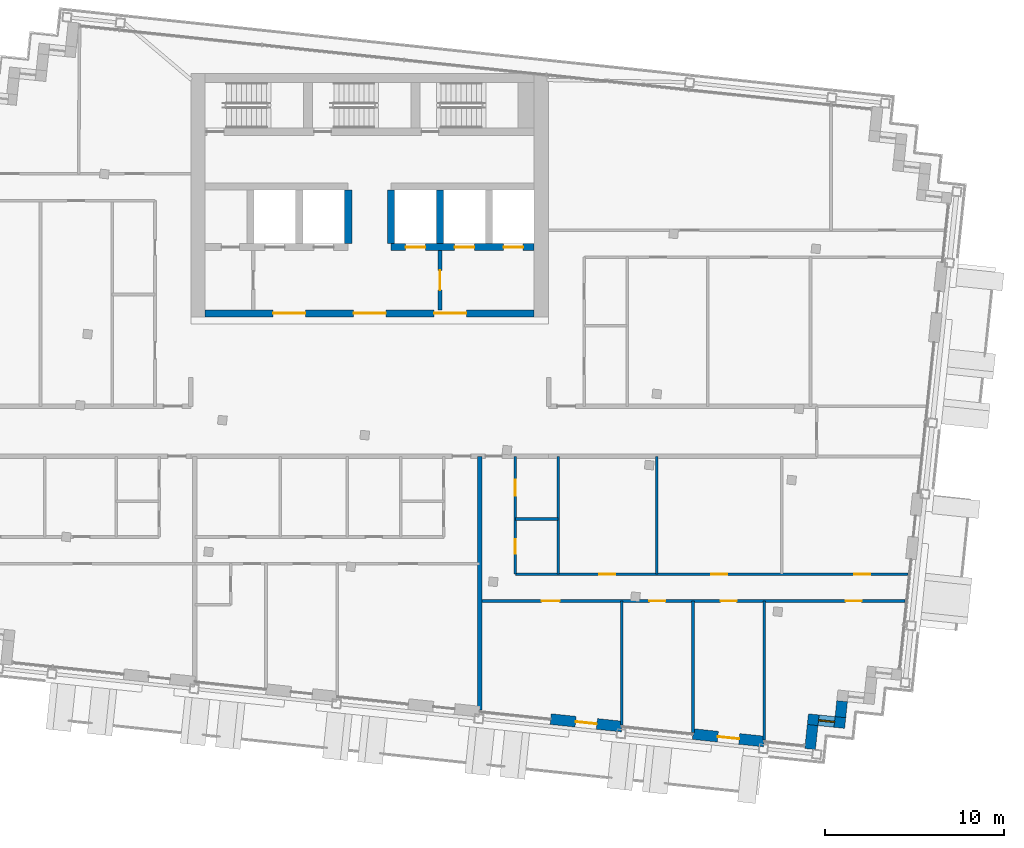
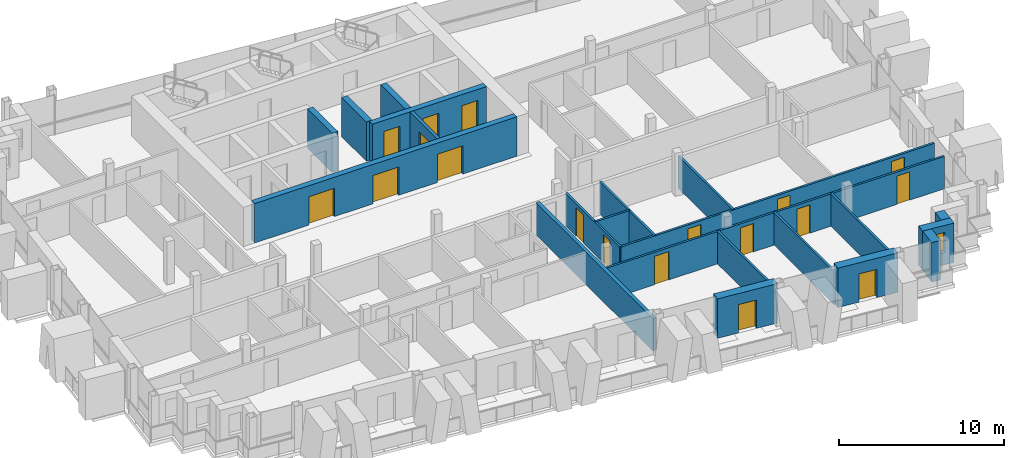
# One storey, part 10 of 16: 21 walls, 18 doors, 1 window, 19 openings.
"""IFC4 building model written with IfcOpenShell, lengths in metres."""

from ifc_helpers import new_model, si_unit, direction, frame, frame_2d, origin, place, context, subcontext, project, spatial, rectangle, extrude, material, layer, layer_set, type_object, element, fill, save


model = new_model("IFC4")

# Units and contexts
model_context = context("Model", 3, precision=1e-05, world=origin(), true_north=direction((0.0, 1.0)))
body_context = subcontext(model_context, "Body", "Model", "MODEL_VIEW")
ifc_project = project(units=[si_unit("LENGTHUNIT", "METRE"), si_unit("AREAUNIT", "SQUARE_METRE"), si_unit("VOLUMEUNIT", "CUBIC_METRE"), si_unit("PLANEANGLEUNIT", "RADIAN"), si_unit("MASSUNIT", "GRAM", prefix="KILO")], contexts=[model_context])

# Site, building, storey
site_placement = place(None, origin())
site = spatial("IfcSite", under=ifc_project, at=site_placement, CompositionType="ELEMENT")
building_placement = place(site_placement, origin())
building = spatial("IfcBuilding", under=site, at=building_placement, Name="Vidyagriha Tower", CompositionType="ELEMENT")
storey_placement = place(building_placement, frame((0.0, 0.0, 275.5)))
storey = spatial("IfcBuildingStorey", under=building, at=storey_placement, Name="L72", CompositionType="ELEMENT", Elevation=275.5)

# Wall, opening, door
ifc_material_1 = material(Name="Precast concrete C40/50 with brick facing", Category="concrete")
ifc_layer_1 = layer(ifc_material_1, 0.60009765625)
ifc_layer_set_1 = layer_set([ifc_layer_1], Name="Precast concrete C40/50 with brick facing")
wall_type_1 = type_object("IfcWallType", Name="Brick-faced precast wall 600", PredefinedType="STANDARD", material=ifc_layer_set_1)
wall_1_placement = place(storey_placement, frame((10.1201171875, -16.085205078125, 0.0), z_axis=(0.0, 0.0, 1.0), x_axis=(0.994519156568, -0.104554517933, 0.0)))
wall_1 = element("IfcWall", 1, at=wall_1_placement, inside=storey, type_object=wall_type_1, Name="Brick door bay wall L72 R21.9", PredefinedType="STANDARD", context=body_context, shape_type="SweptSolid", body=[
    extrude(rectangle(XDim=4.0, YDim=0.60009765625, at=frame_2d((2.0, 0.0))), origin(), (0.0, 0.0, 1.0), 2.919921875),
])
opening_1_placement = place(wall_1_placement, frame((1.39990234375, 0.0, 0.0)))
opening_1 = element("IfcOpeningElement", 2, at=opening_1_placement, cuts=wall_1, Name="Opening D72-57", PredefinedType="OPENING", context=body_context, shape_type="SweptSolid", body=[
    extrude(rectangle(XDim=1.199951171875, YDim=2.10009765625, at=frame_2d((0.60009765625, 1.050048828125))), frame((0.0, 0.31005859375, 0.0), z_axis=(0.0, -1.0, 0.0), x_axis=(1.0, 0.0, 0.0)), (0.0, 0.0, 1.0), 0.6201171875),
])
ifc_material_2 = material(Name="Aluminium framed glazed sliding door", Category="aluminium")
door_type_1 = type_object("IfcDoorType", Name="Balcony sliding door 1200x2100", OperationType="NOTDEFINED", PredefinedType="DOOR", material=ifc_material_2)
door_1_placement = place(opening_1_placement, origin())
door_1 = element("IfcDoor", 3, at=door_1_placement, inside=storey, type_object=door_type_1, Name="Door D72-57", OperationType="SLIDING_TO_LEFT", OverallHeight=2.10009765625, OverallWidth=1.199951171875, PredefinedType="DOOR", context=body_context, shape_type="SweptSolid", body=[
    extrude(rectangle(XDim=1.199951171875, YDim=2.10009765625, at=frame_2d((0.60009765625, 1.050048828125))), frame((0.0, 0.02490234375, 0.0), z_axis=(0.0, -1.0, 0.0), x_axis=(1.0, 0.0, 0.0)), (0.0, 0.0, 1.0), 0.050048828125),
])
fill(opening_1, door_1)

wall_2_placement = place(storey_placement, frame((18.076171875, -16.92138671875, 0.0), z_axis=(0.0, 0.0, 1.0), x_axis=(0.994519156568, -0.104554517933, 0.0)))
wall_2 = element("IfcWall", 4, at=wall_2_placement, inside=storey, type_object=wall_type_1, Name="Brick door bay wall L72 R21.11", PredefinedType="STANDARD", context=body_context, shape_type="SweptSolid", body=[
    extrude(rectangle(XDim=4.0, YDim=0.60009765625, at=frame_2d((2.0, 0.0))), origin(), (0.0, 0.0, 1.0), 2.919921875),
])
opening_2_placement = place(wall_2_placement, frame((1.39990234375, 0.0, 0.0)))
opening_2 = element("IfcOpeningElement", 5, at=opening_2_placement, cuts=wall_2, Name="Opening D72-58", PredefinedType="OPENING", context=body_context, shape_type="SweptSolid", body=[
    extrude(rectangle(XDim=1.199951171875, YDim=2.10009765625, at=frame_2d((0.60009765625, 1.050048828125))), frame((0.0, 0.31005859375, 0.0), z_axis=(0.0, -1.0, 0.0), x_axis=(1.0, 0.0, 0.0)), (0.0, 0.0, 1.0), 0.6201171875),
])
door_2_placement = place(opening_2_placement, origin())
door_2 = element("IfcDoor", 6, at=door_2_placement, inside=storey, type_object=door_type_1, Name="Door D72-58", OperationType="SLIDING_TO_LEFT", OverallHeight=2.10009765625, OverallWidth=1.199951171875, PredefinedType="DOOR", context=body_context, shape_type="SweptSolid", body=[
    extrude(rectangle(XDim=1.199951171875, YDim=2.10009765625, at=frame_2d((0.60009765625, 1.050048828125))), frame((0.0, 0.02490234375, 0.0), z_axis=(0.0, -1.0, 0.0), x_axis=(1.0, 0.0, 0.0)), (0.0, 0.0, 1.0), 0.050048828125),
])
fill(opening_2, door_2)

# Wall
wall_3_placement = place(storey_placement, frame((24.62451171875, -17.760498046875, 0.0), z_axis=(0.0, 0.0, 1.0), x_axis=(0.104355269718, 0.994540083497, 0.0)))
element("IfcWall", 7, at=wall_3_placement, inside=storey, type_object=wall_type_1, Name="Stepped corner wall L72 R22", PredefinedType="STANDARD", context=body_context, shape_type="SweptSolid", body=[
    extrude(rectangle(XDim=1.349853515625, YDim=0.60009765625, at=frame_2d((0.6748046875, 0.0))), origin(), (0.0, 0.0, 1.0), 2.919921875),
])

# Wall, opening, window
wall_4_placement = place(storey_placement, frame((24.49853515625, -16.088134765625, 0.0), z_axis=(0.0, 0.0, 1.0), x_axis=(0.994522640205, -0.104521376379, 0.0)))
wall_4 = element("IfcWall", 8, at=wall_4_placement, inside=storey, type_object=wall_type_1, Name="Stepped corner wall L72 R23", PredefinedType="STANDARD", context=body_context, shape_type="SweptSolid", body=[
    extrude(rectangle(XDim=2.099853515625, YDim=0.60009765625, at=frame_2d((1.0498046875, 0.0))), origin(), (0.0, 0.0, 1.0), 2.919921875),
])
opening_3_placement = place(wall_4_placement, frame((0.60009765625, 0.0, 0.89990234375)))
opening_3 = element("IfcOpeningElement", 9, at=opening_3_placement, cuts=wall_4, Name="Opening WN1", PredefinedType="OPENING", context=body_context, shape_type="SweptSolid", body=[
    extrude(rectangle(XDim=0.89990234375, YDim=1.5, at=frame_2d((0.449951171875, 0.75))), frame((0.0, 0.31005859375, 0.0), z_axis=(0.0, -1.0, 0.0), x_axis=(1.0, 0.0, 0.0)), (0.0, 0.0, 1.0), 0.6201171875),
])
ifc_material_3 = material(Name="Aluminium and glass window", Category="aluminium")
window_type = type_object("IfcWindowType", Name="Reveal window 900x1500", PartitioningType="NOTDEFINED", PredefinedType="WINDOW", material=ifc_material_3)
window_placement = place(opening_3_placement, origin())
window = element("IfcWindow", 10, at=window_placement, inside=storey, type_object=window_type, Name="Reveal window L72 R23", OverallHeight=1.5, OverallWidth=0.89990234375, PartitioningType="SINGLE_PANEL", PredefinedType="WINDOW", context=body_context, shape_type="SweptSolid", body=[
    extrude(rectangle(XDim=0.89990234375, YDim=1.5, at=frame_2d((0.449951171875, 0.75))), frame((0.0, 0.030029296875, 0.0), z_axis=(0.0, -1.0, 0.0), x_axis=(1.0, 0.0, 0.0)), (0.0, 0.0, 1.0), 0.06005859375),
])
fill(opening_3, window)

# Wall
wall_5_placement = place(storey_placement, frame((26.320068359375, -15.97802734375, 0.0), z_axis=(0.0, 0.0, 1.0), x_axis=(0.104444712852, 0.994530694326, 0.0)))
element("IfcWall", 11, at=wall_5_placement, inside=storey, type_object=wall_type_1, Name="Stepped corner wall L72 R24", PredefinedType="STANDARD", context=body_context, shape_type="SweptSolid", body=[
    extrude(rectangle(XDim=0.89990234375, YDim=0.60009765625, at=frame_2d((0.449951171875, 0.0))), origin(), (0.0, 0.0, 1.0), 2.919921875),
])

# Wall, openings, doors
ifc_material_4 = material(Name="Concrete C60/75", Category="concrete")
ifc_layer_2 = layer(ifc_material_4, 0.39990234375)
ifc_layer_set_2 = layer_set([ifc_layer_2], Name="Concrete C60/75")
wall_type_2 = type_object("IfcWallType", Name="Core shear wall 400 mm", PredefinedType="SHEAR", material=ifc_layer_set_2)
wall_6_placement = place(storey_placement, frame((-9.199951171875, 6.60009765625, 0.0)))
wall_6 = element("IfcWall", 12, at=wall_6_placement, inside=storey, type_object=wall_type_2, Name="Core south wall", PredefinedType="SHEAR", context=body_context, shape_type="SweptSolid", body=[
    extrude(rectangle(XDim=18.39990234375, YDim=0.39990234375, at=frame_2d((9.199951171875, 0.0))), origin(), (0.0, 0.0, 1.0), 2.919921875),
])
opening_4_placement = place(wall_6_placement, frame((8.300048828125, 0.0, 0.0)))
opening_4 = element("IfcOpeningElement", 13, at=opening_4_placement, cuts=wall_6, Name="Opening D72-01", PredefinedType="OPENING", context=body_context, shape_type="SweptSolid", body=[
    extrude(rectangle(XDim=1.800048828125, YDim=2.10009765625, at=frame_2d((0.89990234375, 1.050048828125))), frame((0.0, 0.2099609375, 0.0), z_axis=(0.0, -1.0, 0.0), x_axis=(1.0, 0.0, 0.0)), (0.0, 0.0, 1.0), 0.419921875),
])
opening_5_placement = place(wall_6_placement, frame((3.800048828125, 0.0, 0.0)))
opening_5 = element("IfcOpeningElement", 14, at=opening_5_placement, cuts=wall_6, Name="Opening D72-02", PredefinedType="OPENING", context=body_context, shape_type="SweptSolid", body=[
    extrude(rectangle(XDim=1.800048828125, YDim=2.10009765625, at=frame_2d((0.89990234375, 1.050048828125))), frame((0.0, 0.2099609375, 0.0), z_axis=(0.0, -1.0, 0.0), x_axis=(1.0, 0.0, 0.0)), (0.0, 0.0, 1.0), 0.419921875),
])
opening_6_placement = place(wall_6_placement, frame((12.800048828125, 0.0, 0.0)))
opening_6 = element("IfcOpeningElement", 15, at=opening_6_placement, cuts=wall_6, Name="Opening D72-03", PredefinedType="OPENING", context=body_context, shape_type="SweptSolid", body=[
    extrude(rectangle(XDim=1.800048828125, YDim=2.10009765625, at=frame_2d((0.89990234375, 1.050048828125))), frame((0.0, 0.2099609375, 0.0), z_axis=(0.0, -1.0, 0.0), x_axis=(1.0, 0.0, 0.0)), (0.0, 0.0, 1.0), 0.419921875),
])
ifc_material_5 = material(Name="Hollow metal door leaf")
door_type_2 = type_object("IfcDoorType", Name="Core lobby double door 1800 x 2100 mm EI 60", OperationType="NOTDEFINED", PredefinedType="DOOR", material=ifc_material_5)
door_3_placement = place(opening_4_placement, frame((1.800048828125, 0.0, 0.0), z_axis=(0.0, 0.0, 1.0), x_axis=(-1.0, 0.0, 0.0)))
door_3 = element("IfcDoor", 16, at=door_3_placement, inside=storey, type_object=door_type_2, Name="Core entrance door L72", OperationType="DOUBLE_DOOR_SINGLE_SWING", OverallHeight=2.10009765625, OverallWidth=1.800048828125, PredefinedType="DOOR", context=body_context, shape_type="SweptSolid", body=[
    extrude(rectangle(XDim=1.800048828125, YDim=2.10009765625, at=frame_2d((0.89990234375, 1.050048828125))), frame((0.0, 0.02490234375, 0.0), z_axis=(0.0, -1.0, 0.0), x_axis=(1.0, 0.0, 0.0)), (0.0, 0.0, 1.0), 0.050048828125),
])
fill(opening_4, door_3)
door_4_placement = place(opening_5_placement, frame((1.800048828125, 0.0, 0.0), z_axis=(0.0, 0.0, 1.0), x_axis=(-1.0, 0.0, 0.0)))
door_4 = element("IfcDoor", 17, at=door_4_placement, inside=storey, type_object=door_type_2, Name="Core entrance door west L72", OperationType="DOUBLE_DOOR_SINGLE_SWING", OverallHeight=2.10009765625, OverallWidth=1.800048828125, PredefinedType="DOOR", context=body_context, shape_type="SweptSolid", body=[
    extrude(rectangle(XDim=1.800048828125, YDim=2.10009765625, at=frame_2d((0.89990234375, 1.050048828125))), frame((0.0, 0.02490234375, 0.0), z_axis=(0.0, -1.0, 0.0), x_axis=(1.0, 0.0, 0.0)), (0.0, 0.0, 1.0), 0.050048828125),
])
fill(opening_5, door_4)
door_5_placement = place(opening_6_placement, frame((1.800048828125, 0.0, 0.0), z_axis=(0.0, 0.0, 1.0), x_axis=(-1.0, 0.0, 0.0)))
door_5 = element("IfcDoor", 18, at=door_5_placement, inside=storey, type_object=door_type_2, Name="Core entrance door east L72", OperationType="DOUBLE_DOOR_SINGLE_SWING", OverallHeight=2.10009765625, OverallWidth=1.800048828125, PredefinedType="DOOR", context=body_context, shape_type="SweptSolid", body=[
    extrude(rectangle(XDim=1.800048828125, YDim=2.10009765625, at=frame_2d((0.89990234375, 1.050048828125))), frame((0.0, 0.02490234375, 0.0), z_axis=(0.0, -1.0, 0.0), x_axis=(1.0, 0.0, 0.0)), (0.0, 0.0, 1.0), 0.050048828125),
])
fill(opening_6, door_5)

wall_7_placement = place(storey_placement, frame((1.199951171875, 10.300048828125, 0.0)))
wall_7 = element("IfcWall", 19, at=wall_7_placement, inside=storey, type_object=wall_type_2, Name="Core row N front wall", PredefinedType="SHEAR", context=body_context, shape_type="SweptSolid", body=[
    extrude(rectangle(XDim=8.0, YDim=0.39990234375, at=frame_2d((4.0, 0.0))), origin(), (0.0, 0.0, 1.0), 2.919921875),
])
opening_7_placement = place(wall_7_placement, frame((0.816650390625, 0.0, 0.0)))
opening_7 = element("IfcOpeningElement", 20, at=opening_7_placement, cuts=wall_7, Name="Opening LD72-03", PredefinedType="OPENING", context=body_context, shape_type="SweptSolid", body=[
    extrude(rectangle(XDim=1.10009765625, YDim=2.10009765625, at=frame_2d((0.550048828125, 1.050048828125))), frame((0.0, 0.2099609375, 0.0), z_axis=(0.0, -1.0, 0.0), x_axis=(1.0, 0.0, 0.0)), (0.0, 0.0, 1.0), 0.419921875),
])
opening_8_placement = place(wall_7_placement, frame((3.550048828125, 0.0, 0.0)))
opening_8 = element("IfcOpeningElement", 21, at=opening_8_placement, cuts=wall_7, Name="Opening LD72-04", PredefinedType="OPENING", context=body_context, shape_type="SweptSolid", body=[
    extrude(rectangle(XDim=1.10009765625, YDim=2.10009765625, at=frame_2d((0.550048828125, 1.050048828125))), frame((0.0, 0.2099609375, 0.0), z_axis=(0.0, -1.0, 0.0), x_axis=(1.0, 0.0, 0.0)), (0.0, 0.0, 1.0), 0.419921875),
])
opening_9_placement = place(wall_7_placement, frame((6.283203125, 0.0, 0.0)))
opening_9 = element("IfcOpeningElement", 22, at=opening_9_placement, cuts=wall_7, Name="Opening LD72-05", PredefinedType="OPENING", context=body_context, shape_type="SweptSolid", body=[
    extrude(rectangle(XDim=1.10009765625, YDim=2.10009765625, at=frame_2d((0.550048828125, 1.050048828125))), frame((0.0, 0.2099609375, 0.0), z_axis=(0.0, -1.0, 0.0), x_axis=(1.0, 0.0, 0.0)), (0.0, 0.0, 1.0), 0.419921875),
])
ifc_material_6 = material(Name="Stainless steel sliding door panel", Category="steel")
door_type_3 = type_object("IfcDoorType", Name="Lift landing door 1100 x 2100 mm EI 90", OperationType="NOTDEFINED", PredefinedType="DOOR", material=ifc_material_6)
door_6_placement = place(opening_7_placement, origin())
door_6 = element("IfcDoor", 23, at=door_6_placement, inside=storey, type_object=door_type_3, Name="Landing door HR3 L72", OperationType="SLIDING_TO_LEFT", OverallHeight=2.10009765625, OverallWidth=1.10009765625, PredefinedType="DOOR", context=body_context, shape_type="SweptSolid", body=[
    extrude(rectangle(XDim=1.10009765625, YDim=2.10009765625, at=frame_2d((0.550048828125, 1.050048828125))), frame((0.0, 0.02490234375, 0.0), z_axis=(0.0, -1.0, 0.0), x_axis=(1.0, 0.0, 0.0)), (0.0, 0.0, 1.0), 0.050048828125),
])
fill(opening_7, door_6)
door_7_placement = place(opening_8_placement, origin())
door_7 = element("IfcDoor", 24, at=door_7_placement, inside=storey, type_object=door_type_3, Name="Landing door FF1 L72", OperationType="SLIDING_TO_LEFT", OverallHeight=2.10009765625, OverallWidth=1.10009765625, PredefinedType="DOOR", context=body_context, shape_type="SweptSolid", body=[
    extrude(rectangle(XDim=1.10009765625, YDim=2.10009765625, at=frame_2d((0.550048828125, 1.050048828125))), frame((0.0, 0.02490234375, 0.0), z_axis=(0.0, -1.0, 0.0), x_axis=(1.0, 0.0, 0.0)), (0.0, 0.0, 1.0), 0.050048828125),
])
fill(opening_8, door_7)
door_8_placement = place(opening_9_placement, origin())
door_8 = element("IfcDoor", 25, at=door_8_placement, inside=storey, type_object=door_type_3, Name="Landing door FF2 L72", OperationType="SLIDING_TO_LEFT", OverallHeight=2.10009765625, OverallWidth=1.10009765625, PredefinedType="DOOR", context=body_context, shape_type="SweptSolid", body=[
    extrude(rectangle(XDim=1.10009765625, YDim=2.10009765625, at=frame_2d((0.550048828125, 1.050048828125))), frame((0.0, 0.02490234375, 0.0), z_axis=(0.0, -1.0, 0.0), x_axis=(1.0, 0.0, 0.0)), (0.0, 0.0, 1.0), 0.050048828125),
])
fill(opening_9, door_8)

# Walls
for number, where, z_axis, x_axis, name in (
    (26, (-1.199951171875, 10.5, 0.0), (0.0, 0.0, 1.0), (0.0, 1.0, 0.0), "Core bay wall N3"),
    (27, (1.199951171875, 10.5, 0.0), (0.0, 0.0, 1.0), (0.0, 1.0, 0.0), "Core bay wall N4"),
    (28, (3.933349609375, 10.5, 0.0), (0.0, 0.0, 1.0), (0.0, 1.0, 0.0), "Core bay wall N5"),
):
    element("IfcWall", number, at=place(storey_placement, frame(where, z_axis=z_axis, x_axis=x_axis)), inside=storey, type_object=wall_type_2, Name=name, PredefinedType="SHEAR", context=body_context, shape_type="SweptSolid", body=[
        extrude(rectangle(XDim=3.0, YDim=0.39990234375, at=frame_2d((1.5, 0.0))), origin(), (0.0, 0.0, 1.0), 2.919921875),
    ])
ifc_material_7 = material(Name="Fired clay brick masonry", Category="masonry")
ifc_layer_3 = layer(ifc_material_7, 0.25)
ifc_layer_set_3 = layer_set([ifc_layer_3], Name="Fired clay brick masonry")
wall_type_3 = type_object("IfcWallType", Name="Fired clay brick demising wall 250", PredefinedType="PARTITIONING", material=ifc_layer_set_3)
wall_8_placement = place(storey_placement, frame((6.14208984375, -1.39990234375, 0.0), z_axis=(0.0, 0.0, 1.0), x_axis=(0.0, -1.0, 0.0)))
element("IfcWall", 29, at=wall_8_placement, inside=storey, type_object=wall_type_3, Name="Wall all-L72-w055", PredefinedType="PARTITIONING", context=body_context, shape_type="SweptSolid", body=[
    extrude(rectangle(XDim=14.1767578125, YDim=0.25, at=frame_2d((7.08837890625, 0.0))), origin(), (0.0, 0.0, 1.0), 2.39990234375),
])
ifc_material_8 = material(Name="Gypsum board partition")
ifc_layer_4 = layer(ifc_material_8, 0.14990234375)
ifc_layer_set_4 = layer_set([ifc_layer_4], Name="Gypsum board partition")
wall_type_4 = type_object("IfcWallType", Name="Gypsum board partition 150", PredefinedType="PARTITIONING", material=ifc_layer_set_4)
wall_9_placement = place(storey_placement, frame((10.5419921875, -4.89990234375, 0.0), z_axis=(0.0, 0.0, 1.0), x_axis=(-1.0, 0.0, 0.0)))
element("IfcWall", 30, at=wall_9_placement, inside=storey, type_object=wall_type_4, Name="Wall all-L72-w038", PredefinedType="PARTITIONING", context=body_context, shape_type="SweptSolid", body=[
    extrude(rectangle(XDim=2.39990234375, YDim=0.14990234375, at=frame_2d((1.199951171875, 0.0))), origin(), (0.0, 0.0, 1.0), 2.39990234375),
])
for number, where, z_axis, x_axis, name in (
    (31, (10.5419921875, -1.39990234375, 0.0), (0.0, 0.0, 1.0), (0.0, -1.0, 0.0), "Wall all-L72-w039"),
    (32, (16.0419921875, -1.39990234375, 0.0), (0.0, 0.0, 1.0), (0.0, -1.0, 0.0), "Wall all-L72-w040"),
):
    element("IfcWall", number, at=place(storey_placement, frame(where, z_axis=z_axis, x_axis=x_axis)), inside=storey, type_object=wall_type_4, Name=name, PredefinedType="PARTITIONING", context=body_context, shape_type="SweptSolid", body=[
        extrude(rectangle(XDim=6.581787109375, YDim=0.14990234375, at=frame_2d((3.291015625, 0.0))), origin(), (0.0, 0.0, 1.0), 2.39990234375),
    ])

# Wall, openings, doors
wall_10_placement = place(storey_placement, frame((8.14208984375, -7.981689453125, 0.0)))
wall_10 = element("IfcWall", 33, at=wall_10_placement, inside=storey, type_object=wall_type_4, Name="Wall all-L72-w042", PredefinedType="PARTITIONING", context=body_context, shape_type="SweptSolid", body=[
    extrude(rectangle(XDim=21.955322265625, YDim=0.14990234375, at=frame_2d((10.9775390625, 0.0))), origin(), (0.0, 0.0, 1.0), 2.39990234375),
])
opening_10_placement = place(wall_10_placement, frame((4.699951171875, 0.0, 0.0)))
opening_10 = element("IfcOpeningElement", 34, at=opening_10_placement, cuts=wall_10, Name="Opening D72-28", PredefinedType="OPENING", context=body_context, shape_type="SweptSolid", body=[
    extrude(rectangle(XDim=0.89990234375, YDim=2.10009765625, at=frame_2d((0.449951171875, 1.050048828125))), frame((0.0, 0.0849609375, 0.0), z_axis=(0.0, -1.0, 0.0), x_axis=(1.0, 0.0, 0.0)), (0.0, 0.0, 1.0), 0.169921875),
])
opening_11_placement = place(wall_10_placement, frame((10.949951171875, 0.0, 0.0)))
opening_11 = element("IfcOpeningElement", 35, at=opening_11_placement, cuts=wall_10, Name="Opening D72-29", PredefinedType="OPENING", context=body_context, shape_type="SweptSolid", body=[
    extrude(rectangle(XDim=0.89990234375, YDim=2.10009765625, at=frame_2d((0.449951171875, 1.050048828125))), frame((0.0, 0.0849609375, 0.0), z_axis=(0.0, -1.0, 0.0), x_axis=(1.0, 0.0, 0.0)), (0.0, 0.0, 1.0), 0.169921875),
])
opening_12_placement = place(wall_10_placement, frame((18.95751953125, 0.0, 0.0)))
opening_12 = element("IfcOpeningElement", 36, at=opening_12_placement, cuts=wall_10, Name="Opening D72-30", PredefinedType="OPENING", context=body_context, shape_type="SweptSolid", body=[
    extrude(rectangle(XDim=0.89990234375, YDim=2.10009765625, at=frame_2d((0.449951171875, 1.050048828125))), frame((0.0, 0.0849609375, 0.0), z_axis=(0.0, -1.0, 0.0), x_axis=(1.0, 0.0, 0.0)), (0.0, 0.0, 1.0), 0.169921875),
])
ifc_material_9 = material(Name="Timber door leaf", Category="wood")
door_type_4 = type_object("IfcDoorType", Name="Room door 900x2100", OperationType="NOTDEFINED", PredefinedType="DOOR", material=ifc_material_9)
door_9_placement = place(opening_10_placement, origin())
door_9 = element("IfcDoor", 37, at=door_9_placement, inside=storey, type_object=door_type_4, Name="Door D72-28", OperationType="SINGLE_SWING_LEFT", OverallHeight=2.10009765625, OverallWidth=0.89990234375, PredefinedType="DOOR", context=body_context, shape_type="SweptSolid", body=[
    extrude(rectangle(XDim=0.89990234375, YDim=2.10009765625, at=frame_2d((0.449951171875, 1.050048828125))), frame((0.0, 0.02490234375, 0.0), z_axis=(0.0, -1.0, 0.0), x_axis=(1.0, 0.0, 0.0)), (0.0, 0.0, 1.0), 0.050048828125),
])
fill(opening_10, door_9)
door_10_placement = place(opening_11_placement, origin())
door_10 = element("IfcDoor", 38, at=door_10_placement, inside=storey, type_object=door_type_4, Name="Door D72-29", OperationType="SINGLE_SWING_RIGHT", OverallHeight=2.10009765625, OverallWidth=0.89990234375, PredefinedType="DOOR", context=body_context, shape_type="SweptSolid", body=[
    extrude(rectangle(XDim=0.89990234375, YDim=2.10009765625, at=frame_2d((0.449951171875, 1.050048828125))), frame((0.0, 0.02490234375, 0.0), z_axis=(0.0, -1.0, 0.0), x_axis=(1.0, 0.0, 0.0)), (0.0, 0.0, 1.0), 0.050048828125),
])
fill(opening_11, door_10)
door_11_placement = place(opening_12_placement, origin())
door_11 = element("IfcDoor", 39, at=door_11_placement, inside=storey, type_object=door_type_4, Name="Door D72-30", OperationType="SINGLE_SWING_RIGHT", OverallHeight=2.10009765625, OverallWidth=0.89990234375, PredefinedType="DOOR", context=body_context, shape_type="SweptSolid", body=[
    extrude(rectangle(XDim=0.89990234375, YDim=2.10009765625, at=frame_2d((0.449951171875, 1.050048828125))), frame((0.0, 0.02490234375, 0.0), z_axis=(0.0, -1.0, 0.0), x_axis=(1.0, 0.0, 0.0)), (0.0, 0.0, 1.0), 0.050048828125),
])
fill(opening_12, door_11)

wall_11_placement = place(storey_placement, frame((29.939697265625, -9.481689453125, 0.0), z_axis=(0.0, 0.0, 1.0), x_axis=(-1.0, 0.0, 0.0)))
wall_11 = element("IfcWall", 40, at=wall_11_placement, inside=storey, type_object=wall_type_4, Name="Wall all-L72-w046", PredefinedType="PARTITIONING", context=body_context, shape_type="SweptSolid", body=[
    extrude(rectangle(XDim=23.797607421875, YDim=0.14990234375, at=frame_2d((11.89892578125, 0.0))), origin(), (0.0, 0.0, 1.0), 2.39990234375),
])
opening_13_placement = place(wall_11_placement, frame((19.319580078125, 0.0, 0.0)))
opening_13 = element("IfcOpeningElement", 41, at=opening_13_placement, cuts=wall_11, Name="Opening D72-31", PredefinedType="OPENING", context=body_context, shape_type="SweptSolid", body=[
    extrude(rectangle(XDim=1.0, YDim=2.10009765625, at=frame_2d((0.5, 1.050048828125))), frame((0.0, 0.0849609375, 0.0), z_axis=(0.0, -1.0, 0.0), x_axis=(1.0, 0.0, 0.0)), (0.0, 0.0, 1.0), 0.169921875),
])
opening_14_placement = place(wall_11_placement, frame((13.402587890625, 0.0, 0.0)))
opening_14 = element("IfcOpeningElement", 42, at=opening_14_placement, cuts=wall_11, Name="Opening D72-32", PredefinedType="OPENING", context=body_context, shape_type="SweptSolid", body=[
    extrude(rectangle(XDim=0.89990234375, YDim=2.10009765625, at=frame_2d((0.449951171875, 1.050048828125))), frame((0.0, 0.0849609375, 0.0), z_axis=(0.0, -1.0, 0.0), x_axis=(1.0, 0.0, 0.0)), (0.0, 0.0, 1.0), 0.169921875),
])
opening_15_placement = place(wall_11_placement, frame((9.424560546875, 0.0, 0.0)))
opening_15 = element("IfcOpeningElement", 43, at=opening_15_placement, cuts=wall_11, Name="Opening D72-33", PredefinedType="OPENING", context=body_context, shape_type="SweptSolid", body=[
    extrude(rectangle(XDim=0.89990234375, YDim=2.10009765625, at=frame_2d((0.449951171875, 1.050048828125))), frame((0.0, 0.0849609375, 0.0), z_axis=(0.0, -1.0, 0.0), x_axis=(1.0, 0.0, 0.0)), (0.0, 0.0, 1.0), 0.169921875),
])
opening_16_placement = place(wall_11_placement, frame((2.43408203125, 0.0, 0.0)))
opening_16 = element("IfcOpeningElement", 44, at=opening_16_placement, cuts=wall_11, Name="Opening D72-34", PredefinedType="OPENING", context=body_context, shape_type="SweptSolid", body=[
    extrude(rectangle(XDim=0.89990234375, YDim=2.10009765625, at=frame_2d((0.449951171875, 1.050048828125))), frame((0.0, 0.0849609375, 0.0), z_axis=(0.0, -1.0, 0.0), x_axis=(1.0, 0.0, 0.0)), (0.0, 0.0, 1.0), 0.169921875),
])
ifc_material_10 = material(Name="Timber door leaf", Category="wood")
door_type_5 = type_object("IfcDoorType", Name="Room door 1000x2100", OperationType="NOTDEFINED", PredefinedType="DOOR", material=ifc_material_10)
door_12_placement = place(opening_13_placement, origin())
door_12 = element("IfcDoor", 45, at=door_12_placement, inside=storey, type_object=door_type_5, Name="Door D72-31", OperationType="SINGLE_SWING_LEFT", OverallHeight=2.10009765625, OverallWidth=1.0, PredefinedType="DOOR", context=body_context, shape_type="SweptSolid", body=[
    extrude(rectangle(XDim=1.0, YDim=2.10009765625, at=frame_2d((0.5, 1.050048828125))), frame((0.0, 0.02490234375, 0.0), z_axis=(0.0, -1.0, 0.0), x_axis=(1.0, 0.0, 0.0)), (0.0, 0.0, 1.0), 0.050048828125),
])
fill(opening_13, door_12)
door_13_placement = place(opening_14_placement, origin())
door_13 = element("IfcDoor", 46, at=door_13_placement, inside=storey, type_object=door_type_4, Name="Door D72-32", OperationType="SINGLE_SWING_RIGHT", OverallHeight=2.10009765625, OverallWidth=0.89990234375, PredefinedType="DOOR", context=body_context, shape_type="SweptSolid", body=[
    extrude(rectangle(XDim=0.89990234375, YDim=2.10009765625, at=frame_2d((0.449951171875, 1.050048828125))), frame((0.0, 0.02490234375, 0.0), z_axis=(0.0, -1.0, 0.0), x_axis=(1.0, 0.0, 0.0)), (0.0, 0.0, 1.0), 0.050048828125),
])
fill(opening_14, door_13)
door_14_placement = place(opening_15_placement, origin())
door_14 = element("IfcDoor", 47, at=door_14_placement, inside=storey, type_object=door_type_4, Name="Door D72-33", OperationType="SINGLE_SWING_RIGHT", OverallHeight=2.10009765625, OverallWidth=0.89990234375, PredefinedType="DOOR", context=body_context, shape_type="SweptSolid", body=[
    extrude(rectangle(XDim=0.89990234375, YDim=2.10009765625, at=frame_2d((0.449951171875, 1.050048828125))), frame((0.0, 0.02490234375, 0.0), z_axis=(0.0, -1.0, 0.0), x_axis=(1.0, 0.0, 0.0)), (0.0, 0.0, 1.0), 0.050048828125),
])
fill(opening_15, door_14)
door_15_placement = place(opening_16_placement, origin())
door_15 = element("IfcDoor", 48, at=door_15_placement, inside=storey, type_object=door_type_4, Name="Door D72-34", OperationType="SINGLE_SWING_LEFT", OverallHeight=2.10009765625, OverallWidth=0.89990234375, PredefinedType="DOOR", context=body_context, shape_type="SweptSolid", body=[
    extrude(rectangle(XDim=0.89990234375, YDim=2.10009765625, at=frame_2d((0.449951171875, 1.050048828125))), frame((0.0, 0.02490234375, 0.0), z_axis=(0.0, -1.0, 0.0), x_axis=(1.0, 0.0, 0.0)), (0.0, 0.0, 1.0), 0.050048828125),
])
fill(opening_16, door_15)

# Walls
wall_12_placement = place(storey_placement, frame((14.09814453125, -9.481689453125, 0.0), z_axis=(0.0, 0.0, 1.0), x_axis=(0.0, -1.0, 0.0)))
element("IfcWall", 49, at=wall_12_placement, inside=storey, type_object=wall_type_4, Name="Wall all-L72-w051", PredefinedType="PARTITIONING", context=body_context, shape_type="SweptSolid", body=[
    extrude(rectangle(XDim=6.93115234375, YDim=0.14990234375, at=frame_2d((3.465576171875, 0.0))), origin(), (0.0, 0.0, 1.0), 2.39990234375),
])
wall_13_placement = place(storey_placement, frame((18.076171875, -9.481689453125, 0.0), z_axis=(0.0, 0.0, 1.0), x_axis=(0.0, -1.0, 0.0)))
element("IfcWall", 50, at=wall_13_placement, inside=storey, type_object=wall_type_4, Name="Wall all-L72-w052", PredefinedType="PARTITIONING", context=body_context, shape_type="SweptSolid", body=[
    extrude(rectangle(XDim=7.3603515625, YDim=0.14990234375, at=frame_2d((3.68017578125, 0.0))), origin(), (0.0, 0.0, 1.0), 2.39990234375),
])
wall_14_placement = place(storey_placement, frame((22.05419921875, -9.481689453125, 0.0), z_axis=(0.0, 0.0, 1.0), x_axis=(0.0, -1.0, 0.0)))
element("IfcWall", 51, at=wall_14_placement, inside=storey, type_object=wall_type_4, Name="Wall all-L72-w053", PredefinedType="PARTITIONING", context=body_context, shape_type="SweptSolid", body=[
    extrude(rectangle(XDim=7.767333984375, YDim=0.14990234375, at=frame_2d((3.8837890625, 0.0))), origin(), (0.0, 0.0, 1.0), 2.39990234375),
])

# Wall, openings, doors
ifc_material_11 = material(Name="Moisture resistant gypsum board partition")
ifc_layer_5 = layer(ifc_material_11, 0.14990234375)
ifc_layer_set_5 = layer_set([ifc_layer_5], Name="Moisture resistant gypsum board partition")
wall_type_5 = type_object("IfcWallType", Name="Gypsum board wet-area partition 150", PredefinedType="PARTITIONING", material=ifc_layer_set_5)
wall_15_placement = place(storey_placement, frame((8.14208984375, -1.39990234375, 0.0), z_axis=(0.0, 0.0, 1.0), x_axis=(0.0, -1.0, 0.0)))
wall_15 = element("IfcWall", 52, at=wall_15_placement, inside=storey, type_object=wall_type_5, Name="Wall all-L72-w035", PredefinedType="PARTITIONING", context=body_context, shape_type="SweptSolid", body=[
    extrude(rectangle(XDim=6.581787109375, YDim=0.14990234375, at=frame_2d((3.291015625, 0.0))), origin(), (0.0, 0.0, 1.0), 2.39990234375),
])
opening_17_placement = place(wall_15_placement, frame((1.300048828125, 0.0, 0.0)))
opening_17 = element("IfcOpeningElement", 53, at=opening_17_placement, cuts=wall_15, Name="Opening D72-26", PredefinedType="OPENING", context=body_context, shape_type="SweptSolid", body=[
    extrude(rectangle(XDim=0.89990234375, YDim=2.10009765625, at=frame_2d((0.449951171875, 1.050048828125))), frame((0.0, 0.0849609375, 0.0), z_axis=(0.0, -1.0, 0.0), x_axis=(1.0, 0.0, 0.0)), (0.0, 0.0, 1.0), 0.169921875),
])
opening_18_placement = place(wall_15_placement, frame((4.640869140625, 0.0, 0.0)))
opening_18 = element("IfcOpeningElement", 54, at=opening_18_placement, cuts=wall_15, Name="Opening D72-27", PredefinedType="OPENING", context=body_context, shape_type="SweptSolid", body=[
    extrude(rectangle(XDim=0.800048828125, YDim=2.10009765625, at=frame_2d((0.39990234375, 1.050048828125))), frame((0.0, 0.0849609375, 0.0), z_axis=(0.0, -1.0, 0.0), x_axis=(1.0, 0.0, 0.0)), (0.0, 0.0, 1.0), 0.169921875),
])
ifc_material_12 = material(Name="Timber door leaf", Category="wood")
door_type_6 = type_object("IfcDoorType", Name="Bathroom door 800x2100", OperationType="NOTDEFINED", PredefinedType="DOOR", material=ifc_material_12)
door_16_placement = place(opening_18_placement, origin())
door_16 = element("IfcDoor", 55, at=door_16_placement, inside=storey, type_object=door_type_6, Name="Door D72-27", OperationType="SINGLE_SWING_RIGHT", OverallHeight=2.10009765625, OverallWidth=0.800048828125, PredefinedType="DOOR", context=body_context, shape_type="SweptSolid", body=[
    extrude(rectangle(XDim=0.800048828125, YDim=2.10009765625, at=frame_2d((0.39990234375, 1.050048828125))), frame((0.0, 0.02490234375, 0.0), z_axis=(0.0, -1.0, 0.0), x_axis=(1.0, 0.0, 0.0)), (0.0, 0.0, 1.0), 0.050048828125),
])
fill(opening_18, door_16)
ifc_material_13 = material(Name="Timber door leaf", Category="wood")
door_type_7 = type_object("IfcDoorType", Name="Kitchen door 900x2100", OperationType="NOTDEFINED", PredefinedType="DOOR", material=ifc_material_13)
door_17_placement = place(opening_17_placement, origin())
door_17 = element("IfcDoor", 56, at=door_17_placement, inside=storey, type_object=door_type_7, Name="Door D72-26", OperationType="SINGLE_SWING_LEFT", OverallHeight=2.10009765625, OverallWidth=0.89990234375, PredefinedType="DOOR", context=body_context, shape_type="SweptSolid", body=[
    extrude(rectangle(XDim=0.89990234375, YDim=2.10009765625, at=frame_2d((0.449951171875, 1.050048828125))), frame((0.0, 0.02490234375, 0.0), z_axis=(0.0, -1.0, 0.0), x_axis=(1.0, 0.0, 0.0)), (0.0, 0.0, 1.0), 0.050048828125),
])
fill(opening_17, door_17)

# Wall, opening, door
ifc_material_14 = material(Name="Blockwork 15 MPa", Category="masonry")
ifc_layer_6 = layer(ifc_material_14, 0.199951171875)
ifc_layer_set_6 = layer_set([ifc_layer_6], Name="Blockwork 15 MPa")
wall_type_6 = type_object("IfcWallType", Name="Service room partition 200 mm", PredefinedType="PARTITIONING", material=ifc_layer_set_6)
wall_16_placement = place(storey_placement, frame((3.933349609375, 6.800048828125, 0.0), z_axis=(0.0, 0.0, 1.0), x_axis=(0.0, 1.0, 0.0)))
wall_16 = element("IfcWall", 57, at=wall_16_placement, inside=storey, type_object=wall_type_6, Name="Fire-fighting lobby west wall", PredefinedType="PARTITIONING", context=body_context, shape_type="SweptSolid", body=[
    extrude(rectangle(XDim=3.300048828125, YDim=0.199951171875, at=frame_2d((1.64990234375, 0.0))), origin(), (0.0, 0.0, 1.0), 2.919921875),
])
opening_19_placement = place(wall_16_placement, frame((1.10009765625, 0.0, 0.0)))
opening_19 = element("IfcOpeningElement", 58, at=opening_19_placement, cuts=wall_16, Name="Opening D72-05", PredefinedType="OPENING", context=body_context, shape_type="SweptSolid", body=[
    extrude(rectangle(XDim=1.10009765625, YDim=2.10009765625, at=frame_2d((0.550048828125, 1.050048828125))), frame((0.0, 0.10986328125, 0.0), z_axis=(0.0, -1.0, 0.0), x_axis=(1.0, 0.0, 0.0)), (0.0, 0.0, 1.0), 0.219970703125),
])
ifc_material_15 = material(Name="Hollow metal door leaf")
door_type_8 = type_object("IfcDoorType", Name="Fire-fighting lobby door 1100 x 2100 mm EI 90", OperationType="NOTDEFINED", PredefinedType="DOOR", material=ifc_material_15)
door_18_placement = place(opening_19_placement, origin())
door_18 = element("IfcDoor", 59, at=door_18_placement, inside=storey, type_object=door_type_8, Name="Fire-fighting lobby door L72", OperationType="SINGLE_SWING_RIGHT", OverallHeight=2.10009765625, OverallWidth=1.10009765625, PredefinedType="DOOR", context=body_context, shape_type="SweptSolid", body=[
    extrude(rectangle(XDim=1.10009765625, YDim=2.10009765625, at=frame_2d((0.550048828125, 1.050048828125))), frame((0.0, 0.02490234375, 0.0), z_axis=(0.0, -1.0, 0.0), x_axis=(1.0, 0.0, 0.0)), (0.0, 0.0, 1.0), 0.050048828125),
])
fill(opening_19, door_18)

save(model, "model.ifc")
